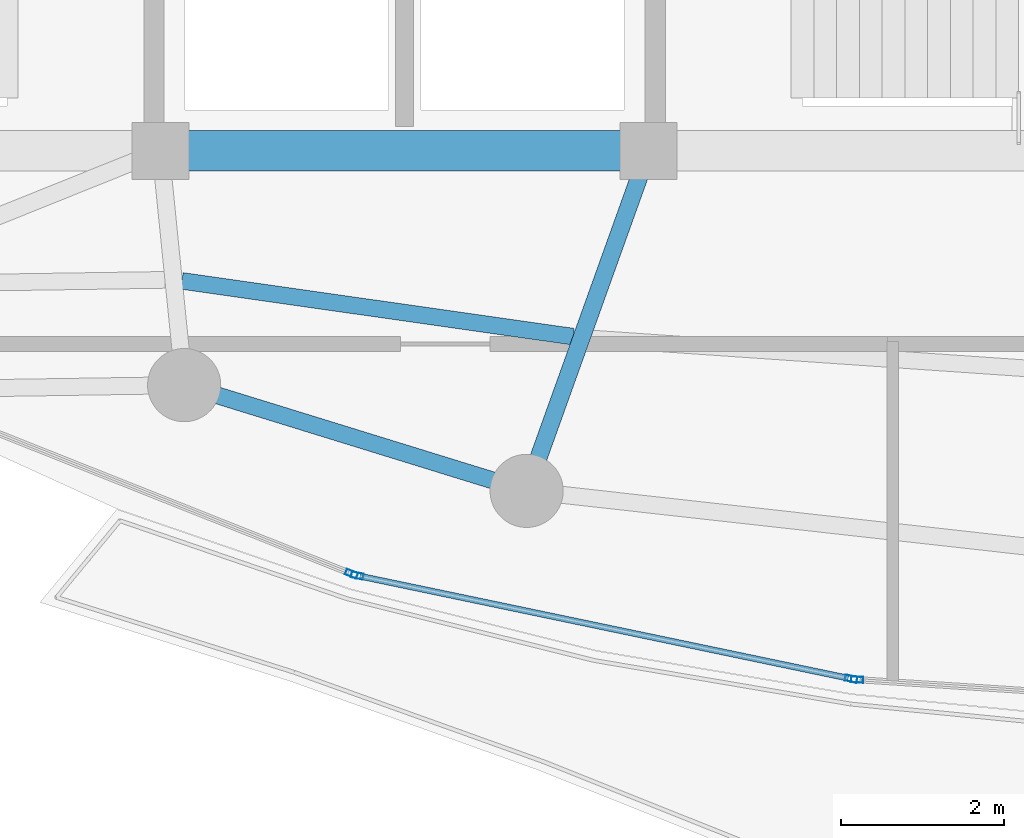
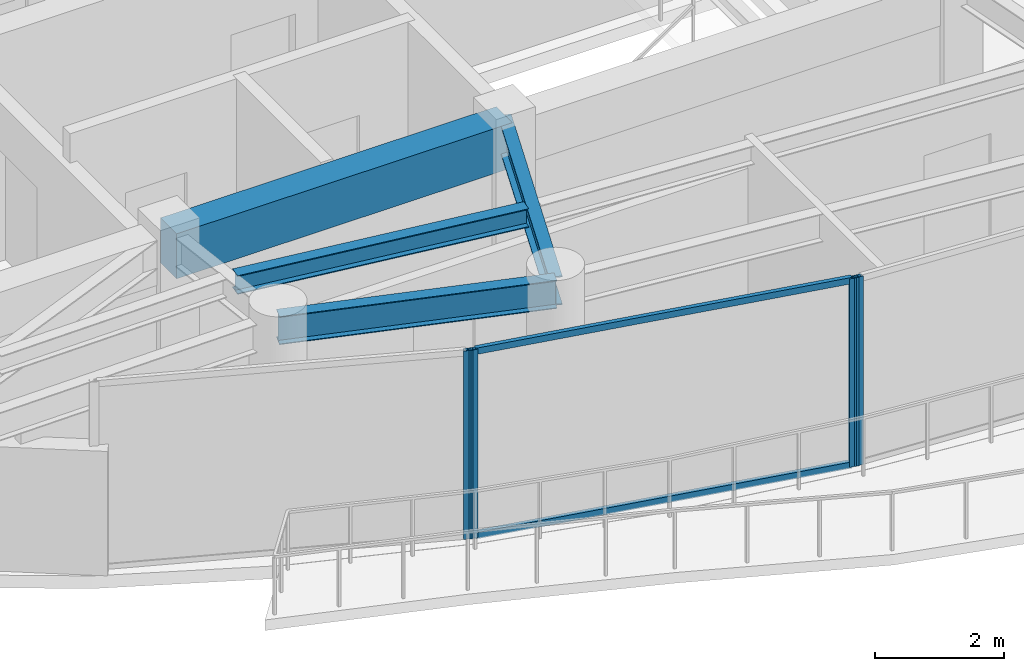
# One storey, part 4 of 22: 6 members, 4 beams, 3 elements without a shape of their own.
"""IFC4 building model written with IfcOpenShell, lengths in metres."""

from ifc_helpers import new_model, si_unit, direction, frame, origin, origin_2d, place, context, subcontext, project, spatial, rectangle, hollow_rectangle, i_section, extrude, material, layer, layer_set, material_profile, profile_set, type_object, element, aggregate, save


model = new_model("IFC4")

# Units and contexts
model_context = context("Model", 3, precision=1e-05, world=origin(), true_north=direction((0.0, 1.0)))
body_context = subcontext(model_context, "Body", "Model", "MODEL_VIEW")
ifc_project = project(units=[si_unit("LENGTHUNIT", "METRE"), si_unit("AREAUNIT", "SQUARE_METRE"), si_unit("VOLUMEUNIT", "CUBIC_METRE"), si_unit("PLANEANGLEUNIT", "RADIAN"), si_unit("MASSUNIT", "GRAM", prefix="KILO")], contexts=[model_context])

# Site, building, storey
site_placement = place(None, origin())
site = spatial("IfcSite", under=ifc_project, at=site_placement, CompositionType="ELEMENT")
building_placement = place(site_placement, origin())
building = spatial("IfcBuilding", under=site, at=building_placement, Name="Kazevale Care Tower and Concert Hall", CompositionType="ELEMENT")
storey_placement = place(building_placement, frame((0.0, 0.0, 273.800048828125)))
storey = spatial("IfcBuildingStorey", under=building, at=storey_placement, Name="L72", CompositionType="ELEMENT", Elevation=273.800048828125)

# Curtain wall, member
ifc_material_1 = material(Name="Aluminium 6063-T6 and Low-E Glass", Category="aluminium")
ifc_layer = layer(ifc_material_1, 0.179931640625)
ifc_layer_set = layer_set([ifc_layer], Name="Aluminium 6063-T6 and Low-E Glass")
curtain_wall_type = type_object("IfcCurtainWallType", Name="Sheltered Concave Balcony Curtain Wall CW-5", PredefinedType="NOTDEFINED", material=ifc_layer_set)
curtain_wall_1_placement = place(storey_placement, origin())
curtain_wall_1 = element("IfcCurtainWall", 1, at=curtain_wall_1_placement, inside=storey, type_object=curtain_wall_type, Name="cw:L72:f02", PredefinedType="NOTDEFINED")
ifc_material_2 = material(Name="Aluminium 6063-T6", Category="aluminium")
ifc_material_profile_1 = material_profile(ifc_material_2, hollow_rectangle(XDim=0.074951171875, YDim=0.14990234375, WallThickness=0.00390625, at=origin_2d()), Name="ALU75x150x4")
ifc_profile_set_1 = profile_set([ifc_material_profile_1], Name="Aluminium 6063-T6")
member_type_1 = type_object("IfcMemberType", Name="CW-5 Mullion ALU75x150x4", PredefinedType="MULLION", material=ifc_profile_set_1)
member_1_placement = place(storey_placement, frame((38.5634765625, 17.099609375, 0.0), z_axis=(0.0, 0.0, 1.0), x_axis=(-0.065045771206, -0.997882281458, 0.0)))
member_1 = element("IfcMember", 2, at=member_1_placement, type_object=member_type_1, Name="CW-5 mullion 2", PredefinedType="MULLION", context=body_context, shape_type="SweptSolid", body=[
    extrude(hollow_rectangle(XDim=0.074951171875, YDim=0.14990234375, WallThickness=0.00390625, at=origin_2d()), origin(), (0.0, 0.0, 1.0), 3.56005859375),
])
aggregate(curtain_wall_1, [member_1])

# Curtain wall, members
curtain_wall_2_placement = place(storey_placement, origin())
curtain_wall_2 = element("IfcCurtainWall", 3, at=curtain_wall_2_placement, inside=storey, type_object=curtain_wall_type, Name="cw:L72:f03", PredefinedType="NOTDEFINED")
member_2_placement = place(storey_placement, frame((38.4892578125, 17.109619140625, 0.0), z_axis=(0.0, 0.0, 1.0), x_axis=(-0.204564979592, -0.978852986472, 0.0)))
member_2 = element("IfcMember", 4, at=member_2_placement, type_object=member_type_1, Name="CW-5 mullion 1", PredefinedType="MULLION", context=body_context, shape_type="SweptSolid", body=[
    extrude(hollow_rectangle(XDim=0.074951171875, YDim=0.14990234375, WallThickness=0.00390625, at=origin_2d()), origin(), (0.0, 0.0, 1.0), 3.56005859375),
])
member_3_placement = place(storey_placement, frame((32.418701171875, 18.37841796875, 0.0), z_axis=(0.0, 0.0, 1.0), x_axis=(-0.204564979592, -0.978852986472, 0.0)))
member_3 = element("IfcMember", 5, at=member_3_placement, type_object=member_type_1, Name="CW-5 mullion 2", PredefinedType="MULLION", context=body_context, shape_type="SweptSolid", body=[
    extrude(hollow_rectangle(XDim=0.074951171875, YDim=0.14990234375, WallThickness=0.00390625, at=origin_2d()), origin(), (0.0, 0.0, 1.0), 3.56005859375),
])

# Curtain wall, member
curtain_wall_3_placement = place(storey_placement, origin())
curtain_wall_3 = element("IfcCurtainWall", 6, at=curtain_wall_3_placement, inside=storey, type_object=curtain_wall_type, Name="cw:L72:f04", PredefinedType="NOTDEFINED")
member_4_placement = place(storey_placement, frame((32.34716796875, 18.39990234375, 0.0), z_axis=(0.0, 0.0, 1.0), x_axis=(-0.369556171894, -0.929208392028, 0.0)))
member_4 = element("IfcMember", 7, at=member_4_placement, type_object=member_type_1, Name="CW-5 mullion 1", PredefinedType="MULLION", context=body_context, shape_type="SweptSolid", body=[
    extrude(hollow_rectangle(XDim=0.074951171875, YDim=0.14990234375, WallThickness=0.00390625, at=origin_2d()), origin(), (0.0, 0.0, 1.0), 3.56005859375),
])
aggregate(curtain_wall_3, [member_4])

# Member
ifc_material_profile_2 = material_profile(ifc_material_2, hollow_rectangle(XDim=0.074951171875, YDim=0.1201171875, WallThickness=0.00390625, at=origin_2d()), Name="ALU75x120x4")
ifc_profile_set_2 = profile_set([ifc_material_profile_2], Name="Aluminium 6063-T6")
member_type_2 = type_object("IfcMemberType", Name="CW-5 Transom ALU75x120x4", PredefinedType="USERDEFINED", material=ifc_profile_set_2)
member_5_placement = place(storey_placement, frame((38.45263671875, 17.117431640625, 0.037353515625), z_axis=(-0.9788585808, 0.20453820864, 0.0), x_axis=(-0.20453820864, -0.9788585808, 0.0)))
member_5 = element("IfcMember", 8, at=member_5_placement, type_object=member_type_2, Name="CW-5 transom 1.1", ObjectType="TRANSOM", PredefinedType="USERDEFINED", context=body_context, shape_type="SweptSolid", body=[
    extrude(hollow_rectangle(XDim=0.074951171875, YDim=0.1201171875, WallThickness=0.00390625, at=origin_2d()), origin(), (0.0, 0.0, 1.0), 6.126953125),
])

member_6_placement = place(storey_placement, frame((38.45263671875, 17.117431640625, 3.5224609375), z_axis=(-0.9788585808, 0.20453820864, 0.0), x_axis=(-0.20453820864, -0.9788585808, 0.0)))
member_6 = element("IfcMember", 9, at=member_6_placement, type_object=member_type_2, Name="CW-5 transom 1.2", ObjectType="TRANSOM", PredefinedType="USERDEFINED", context=body_context, shape_type="SweptSolid", body=[
    extrude(hollow_rectangle(XDim=0.074951171875, YDim=0.1201171875, WallThickness=0.00390625, at=origin_2d()), origin(), (0.0, 0.0, 1.0), 6.126953125),
])

aggregate(curtain_wall_2, [member_2, member_3, member_5, member_6])

# Beams
ifc_material_3 = material(Name="Concrete C60", Category="concrete")
ifc_material_profile_3 = material_profile(ifc_material_3, rectangle(XDim=0.5, YDim=0.85009765625, at=origin_2d()), Name="RC-B500x850")
ifc_profile_set_3 = profile_set([ifc_material_profile_3], Name="Concrete C60")
beam_type_1 = type_object("IfcBeamType", Name="Core Coupling Beam RC500x850", PredefinedType="LINTEL", material=ifc_profile_set_3)
beam_1_placement = place(storey_placement, frame((30.0, 23.60009765625, 3.135009765625), z_axis=(1.0, 0.0, 0.0), x_axis=(0.0, 1.0, 0.0)))
element("IfcBeam", 10, at=beam_1_placement, inside=storey, type_object=beam_type_1, Name="beam:L72:coretie:2", PredefinedType="LINTEL", context=body_context, shape_type="SweptSolid", body=[
    extrude(rectangle(XDim=0.5, YDim=0.85009765625, at=origin_2d()), origin(), (0.0, 0.0, 1.0), 6.0),
])
ifc_material_4 = material(Name="Steel ASTM A572 Gr 50", Category="steel")
ifc_material_profile_4 = material_profile(ifc_material_4, i_section(OverallWidth=0.2119140625, OverallDepth=0.5439453125, WebThickness=0.01318359375, FlangeThickness=0.021240234375, at=origin_2d()), Name="W530x123")
ifc_profile_set_4 = profile_set([ifc_material_profile_4], Name="Steel ASTM A572 Gr 50")
beam_type_2 = type_object("IfcBeamType", Name="Radial Floor Girder W530x123", PredefinedType="BEAM", material=ifc_profile_set_4)
beam_2_placement = place(storey_placement, frame((36.0, 23.60009765625, 3.287841796875), z_axis=(-0.33774987593, -0.941235900988, 0.0), x_axis=(0.941235900988, -0.33774987593, 0.0)))
element("IfcBeam", 11, at=beam_2_placement, inside=storey, type_object=beam_type_2, Name="beam:L72:rad:12", PredefinedType="BEAM", context=body_context, shape_type="SweptSolid", body=[
    extrude(i_section(OverallWidth=0.2119140625, OverallDepth=0.5439453125, WebThickness=0.01318359375, FlangeThickness=0.021240234375, at=origin_2d()), origin(), (0.0, 0.0, 1.0), 4.441162109375),
])
ifc_material_profile_5 = material_profile(ifc_material_4, i_section(OverallWidth=0.205078125, OverallDepth=0.35400390625, WebThickness=0.009521484375, FlangeThickness=0.016845703125, at=origin_2d()), Name="W360x79")
ifc_profile_set_5 = profile_set([ifc_material_profile_5], Name="Steel ASTM A572 Gr 50")
beam_type_3 = type_object("IfcBeamType", Name="Secondary Floor Joist W360x79", PredefinedType="JOIST", material=ifc_profile_set_5)
beam_3_placement = place(storey_placement, frame((30.262939453125, 22.0009765625, 3.383056640625), z_axis=(0.99000170599, -0.141055386768, 0.0), x_axis=(0.141055386768, 0.99000170599, 0.0)))
element("IfcBeam", 12, at=beam_3_placement, inside=storey, type_object=beam_type_3, Name="beam:L72:joist:11", PredefinedType="JOIST", context=body_context, shape_type="SweptSolid", body=[
    extrude(i_section(OverallWidth=0.205078125, OverallDepth=0.35400390625, WebThickness=0.009521484375, FlangeThickness=0.016845703125, at=origin_2d()), origin(), (0.0, 0.0, 1.0), 4.856689453125),
])
ifc_material_profile_6 = material_profile(ifc_material_4, i_section(OverallWidth=0.208984375, OverallDepth=0.532958984375, WebThickness=0.01025390625, FlangeThickness=0.015625, at=origin_2d()), Name="W530x92")
ifc_profile_set_6 = profile_set([ifc_material_profile_6], Name="Steel ASTM A572 Gr 50")
beam_type_4 = type_object("IfcBeamType", Name="Upper Ring Beam W530x92", PredefinedType="BEAM", material=ifc_profile_set_6)
beam_4_placement = place(storey_placement, frame((30.2900390625, 20.719970703125, 3.29345703125), z_axis=(0.955480204609, -0.295055212801, 0.0), x_axis=(0.295055212801, 0.955480204609, 0.0)))
element("IfcBeam", 13, at=beam_4_placement, inside=storey, type_object=beam_type_4, Name="beam:L72:ring:11", PredefinedType="BEAM", context=body_context, shape_type="SweptSolid", body=[
    extrude(i_section(OverallWidth=0.208984375, OverallDepth=0.532958984375, WebThickness=0.01025390625, FlangeThickness=0.015625, at=origin_2d()), origin(), (0.0, 0.0, 1.0), 4.406005859375),
])

save(model, "model.ifc")
